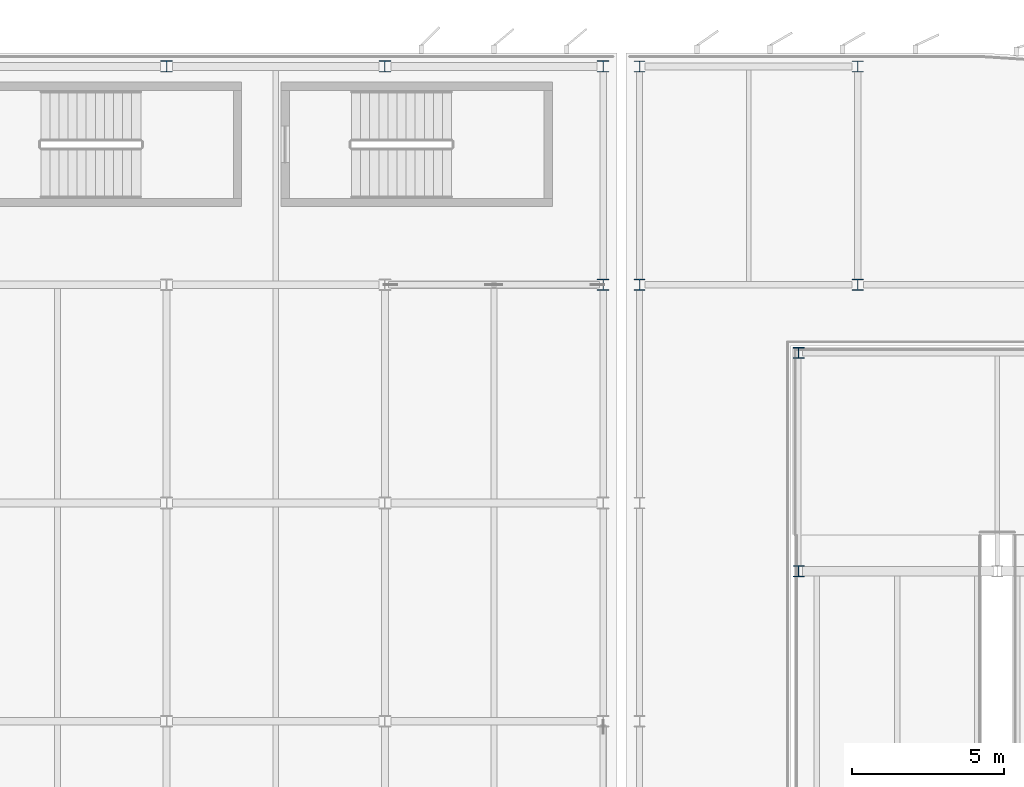
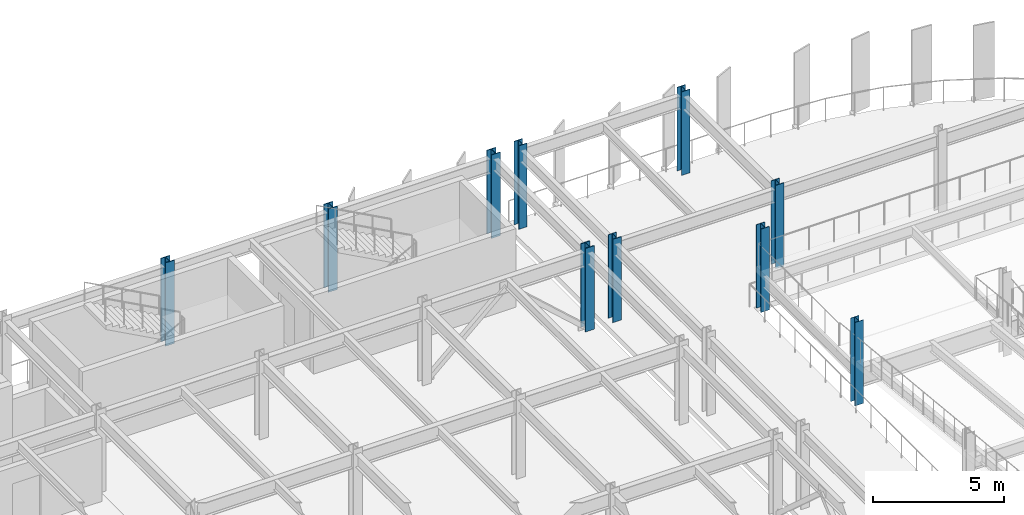
# One storey, part 9 of 93: 10 columns.
"""IFC4 building model written with IfcOpenShell, lengths in metres."""

from ifc_helpers import new_model, si_unit, direction, frame, origin, origin_2d, place, context, subcontext, project, spatial, i_section, extrude, material, material_profile, profile_set, type_object, element, save


model = new_model("IFC4")

# Units and contexts
model_context = context("Model", 3, precision=1e-05, world=origin(), true_north=direction((0.0, 1.0)))
body_context = subcontext(model_context, "Body", "Model", "MODEL_VIEW")
ifc_project = project(units=[si_unit("LENGTHUNIT", "METRE"), si_unit("AREAUNIT", "SQUARE_METRE"), si_unit("VOLUMEUNIT", "CUBIC_METRE"), si_unit("PLANEANGLEUNIT", "RADIAN"), si_unit("MASSUNIT", "GRAM", prefix="KILO")], contexts=[model_context])

# Site, building, storey
site_placement = place(None, origin())
site = spatial("IfcSite", under=ifc_project, at=site_placement, CompositionType="ELEMENT")
building_placement = place(site_placement, origin())
building = spatial("IfcBuilding", under=site, at=building_placement, Name="Vaelcorin Mobility Hub", CompositionType="ELEMENT")
storey_placement = place(building_placement, frame((0.0, 0.0, 5.39990234375)))
storey = spatial("IfcBuildingStorey", under=building, at=storey_placement, Name="L01", CompositionType="ELEMENT", Elevation=5.39990234375)

# Columns
ifc_material = material(Name="Steel ASTM A992 Grade 50", Category="steel")
ifc_material_profile_1 = material_profile(ifc_material, i_section(OverallWidth=0.37109375, OverallDepth=0.363037109375, WebThickness=0.01318359375, FlangeThickness=0.021728515625, FilletRadius=0.014892578125, at=origin_2d()), Name="W14X109")
ifc_profile_set_1 = profile_set([ifc_material_profile_1], Name="Steel ASTM A992 Grade 50")
column_type_1 = type_object("IfcColumnType", Name="COL-W14X109", PredefinedType="COLUMN", material=ifc_profile_set_1)
for number, where, z_axis, x_axis, name in (
    (1, (128.85009765625, 103.35009765625, 0.0), (0.0, 0.0, 1.0), (1.0, 0.0, 0.0), "Column V2E-RDRM-WN L01"),
    (2, (128.85009765625, 110.550048828125, 0.0), (0.0, 0.0, 1.0), (1.0, 0.0, 0.0), "Column V2E-RDRM-WB L01"),
):
    element("IfcColumn", number, at=place(storey_placement, frame(where, z_axis=z_axis, x_axis=x_axis)), inside=storey, type_object=column_type_1, Name=name, PredefinedType="COLUMN", context=body_context, shape_type="SweptSolid", body=[
        extrude(i_section(OverallWidth=0.37109375, OverallDepth=0.363037109375, WebThickness=0.01318359375, FlangeThickness=0.021728515625, FilletRadius=0.014892578125, at=origin_2d()), origin(), (0.0, 0.0, 1.0), 3.900146484375),
    ])
ifc_material_profile_2 = material_profile(ifc_material, i_section(OverallWidth=0.373046875, OverallDepth=0.373046875, WebThickness=0.016357421875, FlangeThickness=0.026123046875, FilletRadius=0.014892578125, at=origin_2d()), Name="W14X132")
ifc_profile_set_2 = profile_set([ifc_material_profile_2], Name="Steel ASTM A992 Grade 50")
column_type_2 = type_object("IfcColumnType", Name="COL-W14X132", PredefinedType="COLUMN", material=ifc_profile_set_2)
for number, where, z_axis, x_axis, name in (
    (3, (123.60009765625, 112.800048828125, 0.0), (0.0, 0.0, 1.0), (1.0, 0.0, 0.0), "Column V2E-G1x6 L01"),
    (4, (123.60009765625, 120.0, 0.0), (0.0, 0.0, 1.0), (1.0, 0.0, 0.0), "Column V2E-G1x7 L01"),
    (5, (130.800048828125, 112.800048828125, 0.0), (0.0, 0.0, 1.0), (1.0, 0.0, 0.0), "Column V2E-G2x6 L01"),
    (6, (130.800048828125, 120.0, 0.0), (0.0, 0.0, 1.0), (1.0, 0.0, 0.0), "Column V2E-G2x7 L01"),
):
    element("IfcColumn", number, at=place(storey_placement, frame(where, z_axis=z_axis, x_axis=x_axis)), inside=storey, type_object=column_type_2, Name=name, PredefinedType="COLUMN", context=body_context, shape_type="SweptSolid", body=[
        extrude(i_section(OverallWidth=0.373046875, OverallDepth=0.373046875, WebThickness=0.016357421875, FlangeThickness=0.026123046875, FilletRadius=0.014892578125, at=origin_2d()), origin(), (0.0, 0.0, 1.0), 3.900146484375),
    ])
ifc_material_profile_3 = material_profile(ifc_material, i_section(OverallWidth=0.39599609375, OverallDepth=0.381103515625, WebThickness=0.018798828125, FlangeThickness=0.0302734375, FilletRadius=0.014892578125, at=origin_2d()), Name="W14X159")
ifc_profile_set_3 = profile_set([ifc_material_profile_3], Name="Steel ASTM A992 Grade 50")
column_type_3 = type_object("IfcColumnType", Name="COL-W14X159", PredefinedType="COLUMN", material=ifc_profile_set_3)
for number, where, z_axis, x_axis, name in (
    (7, (108.0, 120.0, 0.0), (0.0, 0.0, 1.0), (1.0, 0.0, 0.0), "Column V4-X11Y07 L01"),
    (8, (115.199951171875, 120.0, 0.0), (0.0, 0.0, 1.0), (1.0, 0.0, 0.0), "Column V4-X12Y07 L01"),
    (9, (122.39990234375, 120.0, 0.0), (0.0, 0.0, 1.0), (1.0, 0.0, 0.0), "Column V4-X13Y07 L01"),
):
    element("IfcColumn", number, at=place(storey_placement, frame(where, z_axis=z_axis, x_axis=x_axis)), inside=storey, type_object=column_type_3, Name=name, PredefinedType="COLUMN", context=body_context, shape_type="SweptSolid", body=[
        extrude(i_section(OverallWidth=0.39599609375, OverallDepth=0.381103515625, WebThickness=0.018798828125, FlangeThickness=0.0302734375, FilletRadius=0.014892578125, at=origin_2d()), origin(), (0.0, 0.0, 1.0), 3.900146484375),
    ])
ifc_material_profile_4 = material_profile(ifc_material, i_section(OverallWidth=0.39892578125, OverallDepth=0.39404296875, WebThickness=0.022705078125, FlangeThickness=0.03662109375, FilletRadius=0.014892578125, at=origin_2d()), Name="W14X193")
ifc_profile_set_4 = profile_set([ifc_material_profile_4], Name="Steel ASTM A992 Grade 50")
column_type_4 = type_object("IfcColumnType", Name="COL-W14X193", PredefinedType="COLUMN", material=ifc_profile_set_4)
column_placement = place(storey_placement, frame((122.39990234375, 112.800048828125, 0.0), z_axis=(0.0, 0.0, 1.0), x_axis=(1.0, 0.0, 0.0)))
element("IfcColumn", 10, at=column_placement, inside=storey, type_object=column_type_4, Name="Column V4-X13Y06 L01", PredefinedType="COLUMN", context=body_context, shape_type="SweptSolid", body=[
    extrude(i_section(OverallWidth=0.39892578125, OverallDepth=0.39404296875, WebThickness=0.022705078125, FlangeThickness=0.03662109375, FilletRadius=0.014892578125, at=origin_2d()), origin(), (0.0, 0.0, 1.0), 3.900146484375),
])

save(model, "model.ifc")
